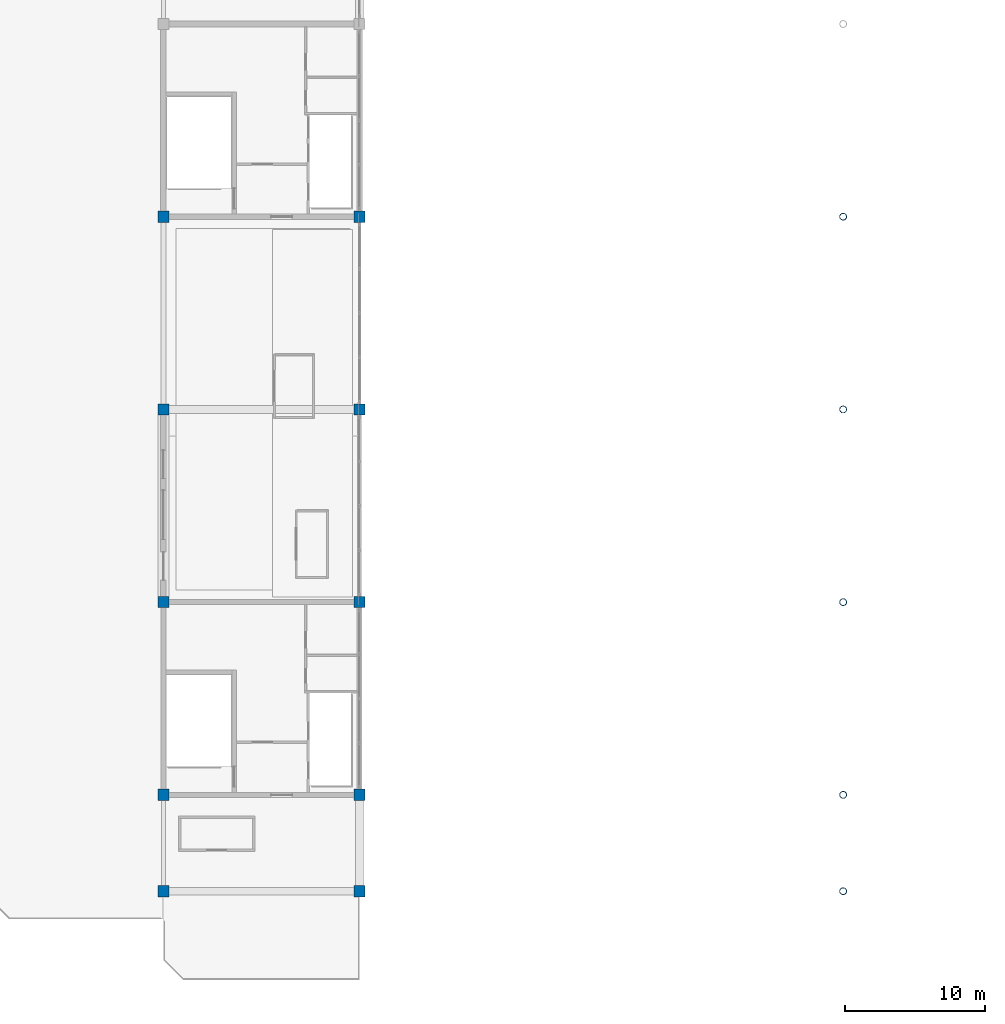
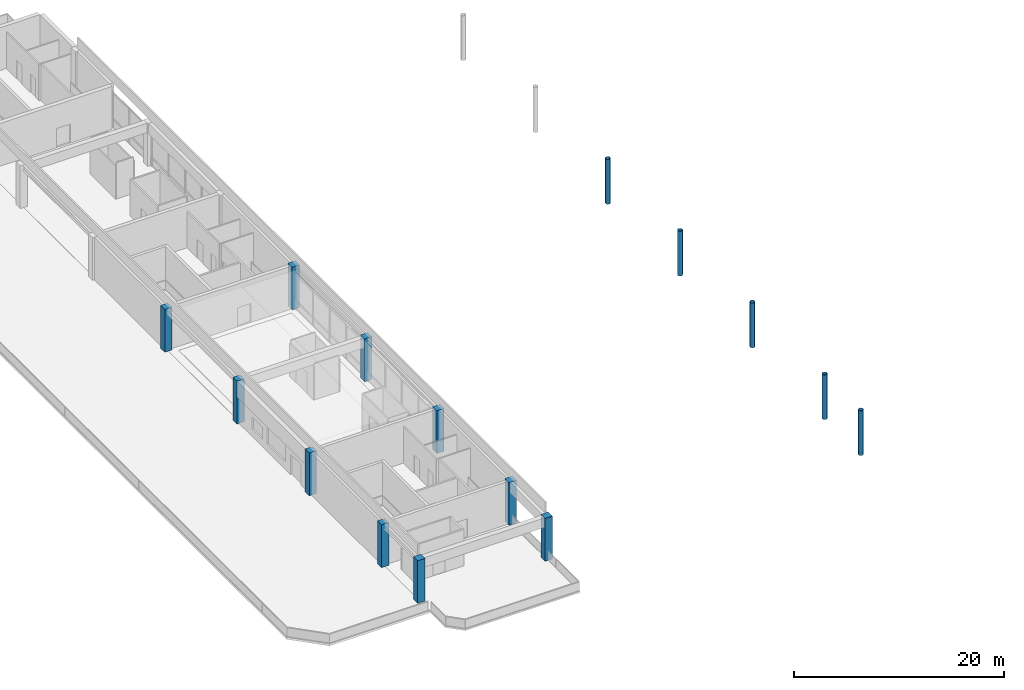
# One storey, part 1 of 113: 15 columns.
"""IFC4 building model written with IfcOpenShell, lengths in metres."""

import ifcopenshell
import ifcopenshell.guid

model = None  # the IFC model being written
_history = None  # IfcOwnerHistory: only IFC2X3 demands one
_inside = {}  # id of a spatial element -> (the spatial element, [elements in it])
_under = {}  # id of a project, library or spatial element -> (it, [spatial elements below it])
_declared = {}  # id of a project -> (the project, [libraries it declares])
_typed = {}  # id of a type object -> (the type object, [elements of that type])
_made_of = {}  # id of a material, layer set ... -> (it, [elements and type objects made of it])


def new_model(schema):
    """Start an empty IFC model of exactly this schema.

    Asked for "IFC4X3", IfcOpenShell would pick the latest addendum, in which some entities
    have other attributes; the version numbers below select the first issue.
    IFC2X3 requires an IfcOwnerHistory on every rooted entity: one is made here for all.
    """
    global model, _history
    if schema == "IFC4X3":
        model = ifcopenshell.file(schema_version=(4, 3, 0, 0))
    else:
        model = ifcopenshell.file(schema=schema)
    _inside.clear()
    _under.clear()
    _declared.clear()
    _typed.clear()
    _made_of.clear()
    _history = None
    if model.schema == "IFC2X3":
        org = make("IfcOrganization", Name="unknown")
        user = make(
            "IfcPersonAndOrganization",
            ThePerson=make("IfcPerson", FamilyName="unknown"),
            TheOrganization=org,
        )
        app = make(
            "IfcApplication",
            ApplicationDeveloper=org,
            Version="unknown",
            ApplicationFullName="unknown",
            ApplicationIdentifier="unknown",
        )
        _history = make(
            "IfcOwnerHistory",
            OwningUser=user,
            OwningApplication=app,
            ChangeAction="ADDED",
            CreationDate=0,
        )
    return model


def make(cls, **values):
    """One entity of the class cls with the attributes given. An attribute that is None is left unset."""
    return model.create_entity(
        cls, **{name: value for name, value in values.items() if value is not None}
    )


def rooted(cls, **values):
    """An entity with a GlobalId (a new one), such as an element, a storey or a relation."""
    return make(cls, GlobalId=ifcopenshell.guid.new(), OwnerHistory=_history, **values)


def si_unit(unit_type, name, prefix=None):
    """IfcSIUnit, for example si_unit("LENGTHUNIT", "METRE", prefix="MILLI")."""
    return make("IfcSIUnit", UnitType=unit_type, Prefix=prefix, Name=name)


def assignment(units):
    """IfcUnitAssignment: the units of a project."""
    return None if units is None else make("IfcUnitAssignment", Units=units)


def point(xyz):
    """IfcCartesianPoint."""
    return None if xyz is None else make("IfcCartesianPoint", Coordinates=xyz)


def direction(xyz):
    """IfcDirection."""
    return None if xyz is None else make("IfcDirection", DirectionRatios=xyz)


def frame(location, z_axis=None, x_axis=None):
    """IfcAxis2Placement3D, a coordinate frame: its origin and axes. An axis left out is left unset."""
    return make(
        "IfcAxis2Placement3D",
        Location=point(location),
        Axis=direction(z_axis),
        RefDirection=direction(x_axis),
    )


def frame_2d(location, x_axis=None):
    """IfcAxis2Placement2D, a coordinate frame in the plane: its origin and x axis."""
    return make(
        "IfcAxis2Placement2D", Location=point(location), RefDirection=direction(x_axis)
    )


def origin():
    """The frame at (0, 0, 0) with its axes left unset."""
    return frame((0.0, 0.0, 0.0))


def origin_2d():
    """The frame at (0, 0) in the plane with its x axis left unset."""
    return frame_2d((0.0, 0.0))


def place(relative_to, where):
    """IfcLocalPlacement: puts the frame where relative to a parent placement (None: the world)."""
    return make(
        "IfcLocalPlacement", PlacementRelTo=relative_to, RelativePlacement=where
    )


def context(
    kind, dimensions, precision=None, world=None, true_north=None, identifier=None
):
    """IfcGeometricRepresentationContext, for example the 3D "Model" context."""
    return make(
        "IfcGeometricRepresentationContext",
        ContextIdentifier=identifier,
        ContextType=kind,
        CoordinateSpaceDimension=dimensions,
        Precision=precision,
        WorldCoordinateSystem=world,
        TrueNorth=true_north,
    )


def subcontext(parent, identifier, kind, view, scale=None):
    """IfcGeometricRepresentationSubContext, for example "Body" below "Model"."""
    return make(
        "IfcGeometricRepresentationSubContext",
        ContextIdentifier=identifier,
        ContextType=kind,
        ParentContext=parent,
        TargetScale=scale,
        TargetView=view,
    )


def project(units=None, contexts=None):
    """IfcProject with its units and contexts."""
    return rooted(
        "IfcProject",
        Name="project",
        RepresentationContexts=contexts,
        UnitsInContext=assignment(units),
    )


def spatial(cls, under=None, at=None, **own):
    """A site, building, storey or space (cls), placed at a placement, below another one or the project."""
    s = rooted(cls, ObjectPlacement=at, **own)
    if under is not None:
        _under.setdefault(under.id(), (under, []))[1].append(s)
    return s


def profile(cls, at=None, kind="AREA", **sizes):
    """A parametric profile (cls). Its sizes go by their IFC names, for example OverallWidth=200.0."""
    return make(cls, ProfileType=kind, Position=at, **sizes)


def rectangle(**sizes):
    """IfcRectangleProfileDef."""
    return profile("IfcRectangleProfileDef", **sizes)


def hollow_circle(**sizes):
    """IfcCircleHollowProfileDef."""
    return profile("IfcCircleHollowProfileDef", **sizes)


def extrude(swept, where, along, depth):
    """IfcExtrudedAreaSolid: the profile swept, set in the frame where, extruded along a direction by depth."""
    return make(
        "IfcExtrudedAreaSolid",
        SweptArea=swept,
        Position=where,
        ExtrudedDirection=direction(along),
        Depth=depth,
    )


def shape(context_of_items, identifier, shape_type, items):
    """IfcShapeRepresentation: the items that make up one representation, for example the "Body"."""
    return make(
        "IfcShapeRepresentation",
        ContextOfItems=context_of_items,
        RepresentationIdentifier=identifier,
        RepresentationType=shape_type,
        Items=items,
    )


def material(Name=None, Category=None):
    """IfcMaterial."""
    return make("IfcMaterial", Name=Name, Category=Category)


def material_profile(
    of_material, cross_section, Name=None, Category=None, Priority=None
):
    """IfcMaterialProfile: a cross section and its material."""
    return make(
        "IfcMaterialProfile",
        Name=Name,
        Material=of_material,
        Profile=cross_section,
        Priority=Priority,
        Category=Category,
    )


def profile_set(profiles, Name=None, composite=None):
    """IfcMaterialProfileSet."""
    return make(
        "IfcMaterialProfileSet",
        Name=Name,
        MaterialProfiles=profiles,
        CompositeProfile=composite,
    )


def made_of(thing, what):
    """Note that an element or type object is made of a material, layer set ...; save() writes the relation."""
    if what is not None:
        _made_of.setdefault(what.id(), (what, []))[1].append(thing)
    return thing


def type_object(cls, material=None, **own):
    """A type object (cls), such as IfcWallType, which elements share."""
    return made_of(rooted(cls, **own), material)


def element(
    cls,
    number,
    at=None,
    inside=None,
    cuts=None,
    type_object=None,
    material=None,
    context=None,
    identifier="Body",
    shape_type=None,
    held_by="IfcProductDefinitionShape",
    body=None,
    shapes=None,
    **own,
):
    """One element of the class cls, such as IfcWall. Its Tag is "e" and its number.

    at: its placement. inside: the storey or other place that contains it. cuts: it is an
    opening in that element (IfcRelVoidsElement). A single representation is given by context,
    identifier, shape_type and body (its items); several are given by shapes. held_by: the class
    of the entity that holds the representations. save() writes the other relations.
    """
    e = rooted(cls, Tag="e%d" % number, ObjectPlacement=at, **own)
    if body is not None:
        shapes = [shape(context, identifier, shape_type, body)]
    if shapes is not None:
        e.Representation = make(held_by, Representations=shapes)
    if inside is not None:
        _inside.setdefault(inside.id(), (inside, []))[1].append(e)
    if cuts is not None:
        rooted(
            "IfcRelVoidsElement", RelatingBuildingElement=cuts, RelatedOpeningElement=e
        )
    if type_object is not None:
        _typed.setdefault(type_object.id(), (type_object, []))[1].append(e)
    return made_of(e, material)


def aggregate(whole, parts):
    """IfcRelAggregates: a whole, such as a stair, and the parts it consists of."""
    return rooted("IfcRelAggregates", RelatingObject=whole, RelatedObjects=parts)


def save(model, path):
    """Write the relations noted so far, then the file.

    IfcRelAggregates (storeys below a building ...), IfcRelContainedInSpatialStructure (elements
    in a storey), IfcRelDefinesByType, IfcRelAssociatesMaterial and IfcRelDeclares: one each for
    every whole, place, type object, material and project.
    """
    for whole, parts in _under.values():
        aggregate(whole, parts)
    for where, things in _inside.values():
        rooted(
            "IfcRelContainedInSpatialStructure",
            RelatedElements=things,
            RelatingStructure=where,
        )
    for kind, things in _typed.values():
        rooted("IfcRelDefinesByType", RelatedObjects=things, RelatingType=kind)
    for what, things in _made_of.values():
        rooted("IfcRelAssociatesMaterial", RelatedObjects=things, RelatingMaterial=what)
    for by, libraries in _declared.values():
        rooted("IfcRelDeclares", RelatingContext=by, RelatedDefinitions=libraries)
    model.write(path)


model = new_model("IFC4")

# Units and contexts
model_context = context("Model", 3, precision=1e-05, world=origin(), true_north=direction((0.0, 1.0)))
body_context = subcontext(model_context, "Body", "Model", "MODEL_VIEW")
ifc_project = project(units=[si_unit("LENGTHUNIT", "METRE"), si_unit("AREAUNIT", "SQUARE_METRE"), si_unit("VOLUMEUNIT", "CUBIC_METRE"), si_unit("PLANEANGLEUNIT", "RADIAN"), si_unit("MASSUNIT", "GRAM", prefix="KILO")], contexts=[model_context])

# Site, building, storey
site_placement = place(None, origin())
site = spatial("IfcSite", under=ifc_project, at=site_placement, CompositionType="ELEMENT")
building_placement = place(site_placement, origin())
building = spatial("IfcBuilding", under=site, at=building_placement, Name="Linyun Crest Stadium", CompositionType="ELEMENT")
storey_placement = place(building_placement, frame((0.0, 0.0, 26.39990234375)))
storey = spatial("IfcBuildingStorey", under=building, at=storey_placement, Name="L06", CompositionType="ELEMENT", Elevation=26.39990234375)

# Columns
ifc_material_1 = material(Name="Concrete C50", Category="concrete")
ifc_material_profile_1 = material_profile(ifc_material_1, rectangle(XDim=0.800048828125, YDim=0.800048828125, at=origin_2d()), Name="RC 800x800")
ifc_profile_set_1 = profile_set([ifc_material_profile_1], Name="Concrete C50")
column_type_1 = type_object("IfcColumnType", Name="C03", PredefinedType="COLUMN", material=ifc_profile_set_1)
for number, where, z_axis, x_axis, name in (
    (1, (-84.0, -46.0, 0.0), (0.0, 0.0, 1.0), (1.0, 0.0, 0.0), "Column C03 L06 55"),
    (2, (-84.0, -39.125, 0.0), (0.0, 0.0, 1.0), (1.0, 0.0, 0.0), "Column C03 L06 62"),
    (3, (-84.0, -25.375, 0.0), (0.0, 0.0, 1.0), (1.0, 0.0, 0.0), "Column C03 L06 69"),
    (4, (-84.0, -11.625, 0.0), (0.0, 0.0, 1.0), (1.0, 0.0, 0.0), "Column C03 L06 76"),
    (5, (-84.0, 2.125, 0.0), (0.0, 0.0, 1.0), (1.0, 0.0, 0.0), "Column C03 L06 83"),
    (6, (-70.0, -46.0, 0.0), (0.0, 0.0, 1.0), (1.0, 0.0, 0.0), "Column C03 L06 151"),
    (7, (-70.0, -39.125, 0.0), (0.0, 0.0, 1.0), (1.0, 0.0, 0.0), "Column C03 L06 158"),
    (8, (-70.0, -25.375, 0.0), (0.0, 0.0, 1.0), (1.0, 0.0, 0.0), "Column C03 L06 165"),
    (9, (-70.0, -11.625, 0.0), (0.0, 0.0, 1.0), (1.0, 0.0, 0.0), "Column C03 L06 172"),
    (10, (-70.0, 2.125, 0.0), (0.0, 0.0, 1.0), (1.0, 0.0, 0.0), "Column C03 L06 179"),
):
    element("IfcColumn", number, at=place(storey_placement, frame(where, z_axis=z_axis, x_axis=x_axis)), inside=storey, type_object=column_type_1, Name=name, PredefinedType="COLUMN", context=body_context, shape_type="SweptSolid", body=[
        extrude(rectangle(XDim=0.800048828125, YDim=0.800048828125, at=origin_2d()), origin(), (0.0, 0.0, 1.0), 4.965087890625),
    ])
ifc_material_2 = material(Name="Steel Q355C", Category="steel")
ifc_material_profile_2 = material_profile(ifc_material_2, hollow_circle(Radius=0.25390625, WallThickness=0.02490234375, at=origin_2d()), Name="CHS 508x25")
ifc_profile_set_2 = profile_set([ifc_material_profile_2], Name="Steel Q355C")
column_type_2 = type_object("IfcColumnType", Name="SC05", PredefinedType="COLUMN", material=ifc_profile_set_2)
for number, where, z_axis, x_axis, name in (
    (11, (-35.5, -46.0, 0.0), (0.0, 0.0, 1.0), (1.0, 0.0, 0.0), "Arch colonnade column SC05 L06 2"),
    (12, (-35.5, -39.125, 0.0), (0.0, 0.0, 1.0), (1.0, 0.0, 0.0), "Arch colonnade column SC05 L06 4"),
    (13, (-35.5, -25.375, 0.0), (0.0, 0.0, 1.0), (1.0, 0.0, 0.0), "Arch colonnade column SC05 L06 6"),
    (14, (-35.5, -11.625, 0.0), (0.0, 0.0, 1.0), (1.0, 0.0, 0.0), "Arch colonnade column SC05 L06 8"),
    (15, (-35.5, 2.125, 0.0), (0.0, 0.0, 1.0), (1.0, 0.0, 0.0), "Arch colonnade column SC05 L06 10"),
):
    element("IfcColumn", number, at=place(storey_placement, frame(where, z_axis=z_axis, x_axis=x_axis)), inside=storey, type_object=column_type_2, Name=name, PredefinedType="COLUMN", context=body_context, shape_type="SweptSolid", body=[
        extrude(hollow_circle(Radius=0.25390625, WallThickness=0.02490234375, at=origin_2d()), origin(), (0.0, 0.0, 1.0), 5.2001953125),
    ])

save(model, "model.ifc")
